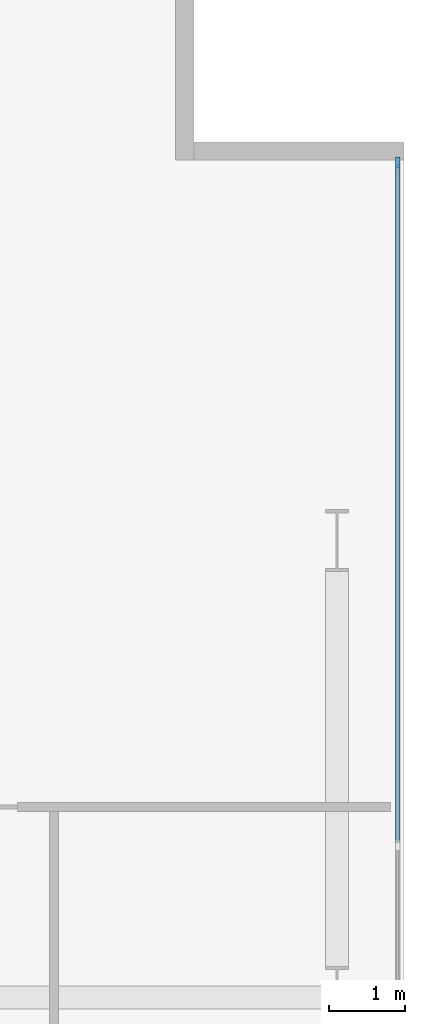
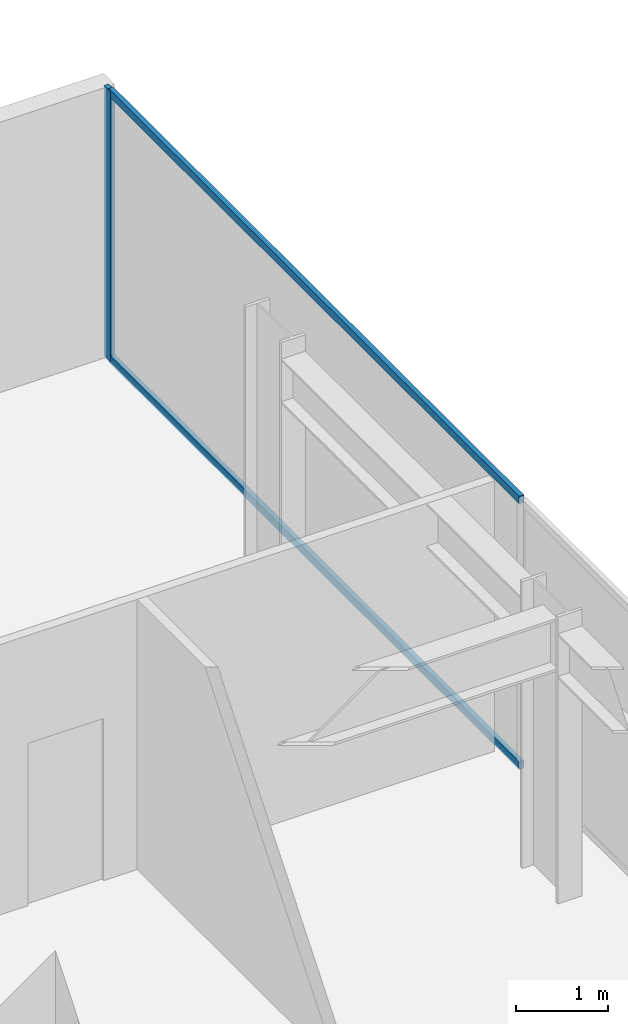
# One storey, part 15 of 23: 3 members, 1 element without a shape of its own.
"""IFC4 building model written with IfcOpenShell, lengths in metres."""

from ifc_helpers import new_model, si_unit, direction, frame, origin, origin_2d, place, context, subcontext, project, spatial, rectangle, extrude, material, layer, layer_set, material_profile, profile_set, type_object, element, aggregate, save


model = new_model("IFC4")

# Units and contexts
model_context = context("Model", 3, precision=1e-05, world=origin(), true_north=direction((0.0, 1.0)))
body_context = subcontext(model_context, "Body", "Model", "MODEL_VIEW")
ifc_project = project(units=[si_unit("LENGTHUNIT", "METRE"), si_unit("AREAUNIT", "SQUARE_METRE"), si_unit("VOLUMEUNIT", "CUBIC_METRE"), si_unit("PLANEANGLEUNIT", "RADIAN"), si_unit("MASSUNIT", "GRAM", prefix="KILO")], contexts=[model_context])

# Site, building, storey
site_placement = place(None, origin())
site = spatial("IfcSite", under=ifc_project, at=site_placement, CompositionType="ELEMENT")
building_placement = place(site_placement, origin())
building = spatial("IfcBuilding", under=site, at=building_placement, Name="Putna Gate Headquarters", CompositionType="ELEMENT")
storey_placement = place(building_placement, frame((0.0, 0.0, 229.0)))
storey = spatial("IfcBuildingStorey", under=building, at=storey_placement, Name="L57", CompositionType="ELEMENT", Elevation=229.0)

# Curtain wall, members
ifc_material_1 = material(Name="Anodised bronze aluminium curtain wall", Category="aluminium")
ifc_layer = layer(ifc_material_1, 0.139892578125)
ifc_layer_set = layer_set([ifc_layer], Name="Anodised bronze aluminium curtain wall")
curtain_wall_type = type_object("IfcCurtainWallType", Name="CW-SYS-Z4", PredefinedType="USERDEFINED", material=ifc_layer_set)
curtain_wall_placement = place(storey_placement, origin())
curtain_wall = element("IfcCurtainWall", 1, at=curtain_wall_placement, inside=storey, type_object=curtain_wall_type, Name="L57 East Curtain Wall", ObjectType="STICK CURTAIN WALL", PredefinedType="USERDEFINED")
ifc_material_2 = material(Name="Anodised bronze aluminium EN AW-6060", Category="aluminium")
ifc_material_profile_1 = material_profile(ifc_material_2, rectangle(XDim=0.06005859375, YDim=0.139892578125, at=origin_2d()), Name="Anodised bronze aluminium EN AW-6060")
ifc_profile_set_1 = profile_set([ifc_material_profile_1], Name="Anodised bronze aluminium EN AW-6060")
member_type_1 = type_object("IfcMemberType", Name="MULL-CWM-4", PredefinedType="MULLION", material=ifc_profile_set_1)
member_1_placement = place(storey_placement, frame((72.1201171875, 43.969970703125, 0.0), z_axis=(0.0, 0.0, 1.0), x_axis=(-1.0, 0.0, 0.0)))
member_1 = element("IfcMember", 2, at=member_1_placement, type_object=member_type_1, Name="CWS-4 mullion 5", PredefinedType="MULLION", context=body_context, shape_type="SweptSolid", body=[
    extrude(rectangle(XDim=0.06005859375, YDim=0.139892578125, at=origin_2d()), origin(), (0.0, 0.0, 1.0), 3.580078125),
])
ifc_material_profile_2 = material_profile(ifc_material_2, rectangle(XDim=0.06005859375, YDim=0.10009765625, at=origin_2d()), Name="Anodised bronze aluminium EN AW-6060")
ifc_profile_set_2 = profile_set([ifc_material_profile_2], Name="Anodised bronze aluminium EN AW-6060")
member_type_2 = type_object("IfcMemberType", Name="TRAN-CWT-4", PredefinedType="USERDEFINED", material=ifc_profile_set_2)
member_2_placement = place(storey_placement, frame((72.1201171875, 35.030029296875, 0.030029296875), z_axis=(0.0, 1.0, 0.0), x_axis=(-1.0, 0.0, 0.0)))
member_2 = element("IfcMember", 3, at=member_2_placement, type_object=member_type_2, Name="CWS-4 transom 4.1", ObjectType="TRANSOM", PredefinedType="USERDEFINED", context=body_context, shape_type="SweptSolid", body=[
    extrude(rectangle(XDim=0.06005859375, YDim=0.10009765625, at=origin_2d()), origin(), (0.0, 0.0, 1.0), 8.909912109375),
])
member_3_placement = place(storey_placement, frame((72.1201171875, 35.030029296875, 3.550048828125), z_axis=(0.0, 1.0, 0.0), x_axis=(-1.0, 0.0, 0.0)))
member_3 = element("IfcMember", 4, at=member_3_placement, type_object=member_type_2, Name="CWS-4 transom 4.2", ObjectType="TRANSOM", PredefinedType="USERDEFINED", context=body_context, shape_type="SweptSolid", body=[
    extrude(rectangle(XDim=0.06005859375, YDim=0.10009765625, at=origin_2d()), origin(), (0.0, 0.0, 1.0), 8.909912109375),
])
aggregate(curtain_wall, [member_1, member_2, member_3])

save(model, "model.ifc")
